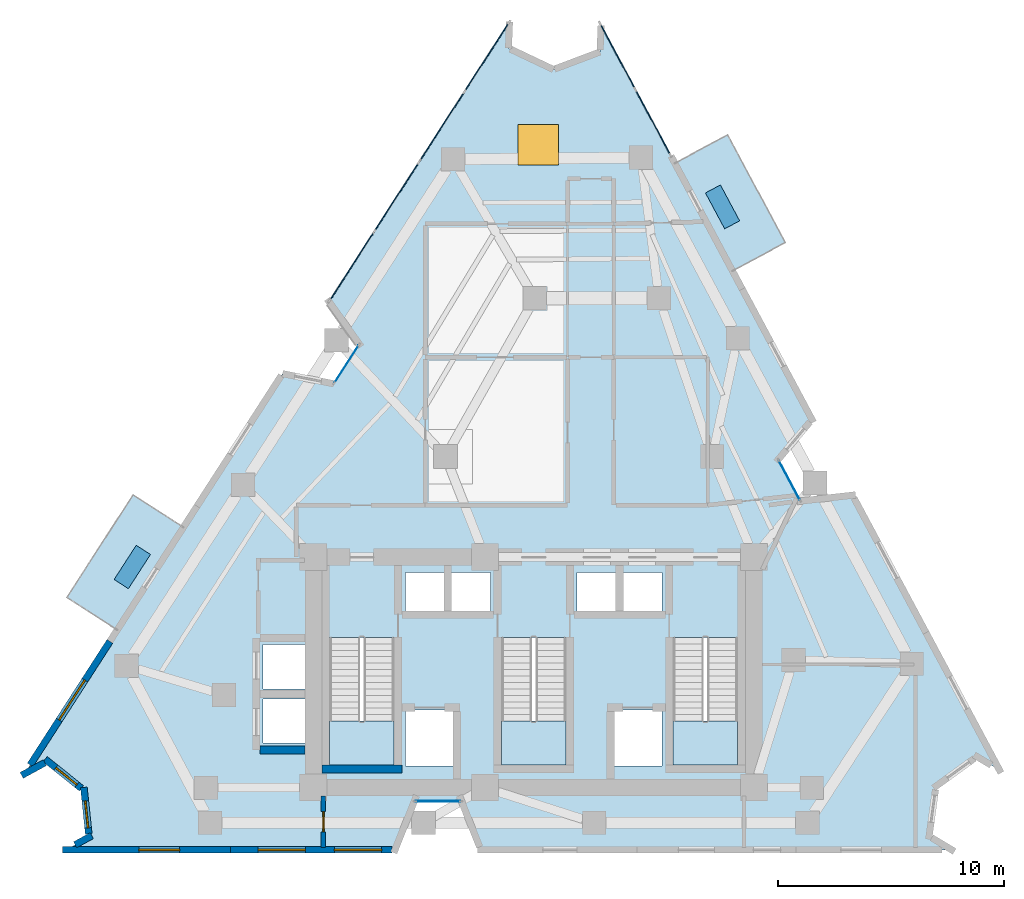
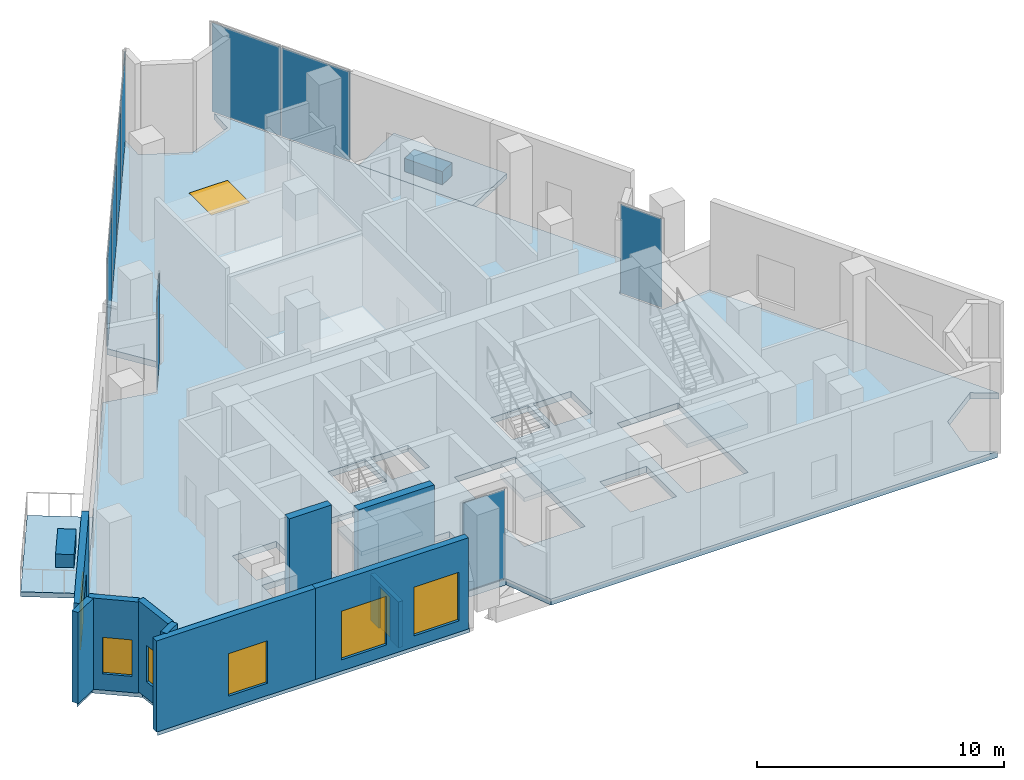
# One storey, part 5 of 10: 11 plates, 10 walls, 7 windows, 6 slabs, 1 door, 8 openings, 9 elements without a shape of their own.
"""IFC4 building model written with IfcOpenShell, lengths in metres."""

import ifcopenshell
import ifcopenshell.guid

model = None  # the IFC model being written
_history = None  # IfcOwnerHistory: only IFC2X3 demands one
_inside = {}  # id of a spatial element -> (the spatial element, [elements in it])
_under = {}  # id of a project, library or spatial element -> (it, [spatial elements below it])
_declared = {}  # id of a project -> (the project, [libraries it declares])
_typed = {}  # id of a type object -> (the type object, [elements of that type])
_made_of = {}  # id of a material, layer set ... -> (it, [elements and type objects made of it])


def new_model(schema):
    """Start an empty IFC model of exactly this schema.

    Asked for "IFC4X3", IfcOpenShell would pick the latest addendum, in which some entities
    have other attributes; the version numbers below select the first issue.
    IFC2X3 requires an IfcOwnerHistory on every rooted entity: one is made here for all.
    """
    global model, _history
    if schema == "IFC4X3":
        model = ifcopenshell.file(schema_version=(4, 3, 0, 0))
    else:
        model = ifcopenshell.file(schema=schema)
    _inside.clear()
    _under.clear()
    _declared.clear()
    _typed.clear()
    _made_of.clear()
    _history = None
    if model.schema == "IFC2X3":
        org = make("IfcOrganization", Name="unknown")
        user = make(
            "IfcPersonAndOrganization",
            ThePerson=make("IfcPerson", FamilyName="unknown"),
            TheOrganization=org,
        )
        app = make(
            "IfcApplication",
            ApplicationDeveloper=org,
            Version="unknown",
            ApplicationFullName="unknown",
            ApplicationIdentifier="unknown",
        )
        _history = make(
            "IfcOwnerHistory",
            OwningUser=user,
            OwningApplication=app,
            ChangeAction="ADDED",
            CreationDate=0,
        )
    return model


def make(cls, **values):
    """One entity of the class cls with the attributes given. An attribute that is None is left unset."""
    return model.create_entity(
        cls, **{name: value for name, value in values.items() if value is not None}
    )


def rooted(cls, **values):
    """An entity with a GlobalId (a new one), such as an element, a storey or a relation."""
    return make(cls, GlobalId=ifcopenshell.guid.new(), OwnerHistory=_history, **values)


def si_unit(unit_type, name, prefix=None):
    """IfcSIUnit, for example si_unit("LENGTHUNIT", "METRE", prefix="MILLI")."""
    return make("IfcSIUnit", UnitType=unit_type, Prefix=prefix, Name=name)


def assignment(units):
    """IfcUnitAssignment: the units of a project."""
    return None if units is None else make("IfcUnitAssignment", Units=units)


def point(xyz):
    """IfcCartesianPoint."""
    return None if xyz is None else make("IfcCartesianPoint", Coordinates=xyz)


def direction(xyz):
    """IfcDirection."""
    return None if xyz is None else make("IfcDirection", DirectionRatios=xyz)


def frame(location, z_axis=None, x_axis=None):
    """IfcAxis2Placement3D, a coordinate frame: its origin and axes. An axis left out is left unset."""
    return make(
        "IfcAxis2Placement3D",
        Location=point(location),
        Axis=direction(z_axis),
        RefDirection=direction(x_axis),
    )


def frame_2d(location, x_axis=None):
    """IfcAxis2Placement2D, a coordinate frame in the plane: its origin and x axis."""
    return make(
        "IfcAxis2Placement2D", Location=point(location), RefDirection=direction(x_axis)
    )


def origin():
    """The frame at (0, 0, 0) with its axes left unset."""
    return frame((0.0, 0.0, 0.0))


def origin_2d():
    """The frame at (0, 0) in the plane with its x axis left unset."""
    return frame_2d((0.0, 0.0))


def place(relative_to, where):
    """IfcLocalPlacement: puts the frame where relative to a parent placement (None: the world)."""
    return make(
        "IfcLocalPlacement", PlacementRelTo=relative_to, RelativePlacement=where
    )


def context(
    kind, dimensions, precision=None, world=None, true_north=None, identifier=None
):
    """IfcGeometricRepresentationContext, for example the 3D "Model" context."""
    return make(
        "IfcGeometricRepresentationContext",
        ContextIdentifier=identifier,
        ContextType=kind,
        CoordinateSpaceDimension=dimensions,
        Precision=precision,
        WorldCoordinateSystem=world,
        TrueNorth=true_north,
    )


def subcontext(parent, identifier, kind, view, scale=None):
    """IfcGeometricRepresentationSubContext, for example "Body" below "Model"."""
    return make(
        "IfcGeometricRepresentationSubContext",
        ContextIdentifier=identifier,
        ContextType=kind,
        ParentContext=parent,
        TargetScale=scale,
        TargetView=view,
    )


def project(units=None, contexts=None):
    """IfcProject with its units and contexts."""
    return rooted(
        "IfcProject",
        Name="project",
        RepresentationContexts=contexts,
        UnitsInContext=assignment(units),
    )


def spatial(cls, under=None, at=None, **own):
    """A site, building, storey or space (cls), placed at a placement, below another one or the project."""
    s = rooted(cls, ObjectPlacement=at, **own)
    if under is not None:
        _under.setdefault(under.id(), (under, []))[1].append(s)
    return s


def polyline(points):
    """IfcPolyline through the points."""
    return make("IfcPolyline", Points=[point(p) for p in points])


def profile(cls, at=None, kind="AREA", **sizes):
    """A parametric profile (cls). Its sizes go by their IFC names, for example OverallWidth=200.0."""
    return make(cls, ProfileType=kind, Position=at, **sizes)


def rectangle(**sizes):
    """IfcRectangleProfileDef."""
    return profile("IfcRectangleProfileDef", **sizes)


def outline(outer, holes=None, kind="AREA"):
    """IfcArbitraryClosedProfileDef: a profile drawn as a closed curve; with holes, ...WithVoids."""
    if holes is None:
        return make("IfcArbitraryClosedProfileDef", ProfileType=kind, OuterCurve=outer)
    return make(
        "IfcArbitraryProfileDefWithVoids",
        ProfileType=kind,
        OuterCurve=outer,
        InnerCurves=holes,
    )


def extrude(swept, where, along, depth):
    """IfcExtrudedAreaSolid: the profile swept, set in the frame where, extruded along a direction by depth."""
    return make(
        "IfcExtrudedAreaSolid",
        SweptArea=swept,
        Position=where,
        ExtrudedDirection=direction(along),
        Depth=depth,
    )


def shape(context_of_items, identifier, shape_type, items):
    """IfcShapeRepresentation: the items that make up one representation, for example the "Body"."""
    return make(
        "IfcShapeRepresentation",
        ContextOfItems=context_of_items,
        RepresentationIdentifier=identifier,
        RepresentationType=shape_type,
        Items=items,
    )


def material(Name=None, Category=None):
    """IfcMaterial."""
    return make("IfcMaterial", Name=Name, Category=Category)


def layer(
    of_material, thickness, ventilated=None, Name=None, Category=None, Priority=None
):
    """IfcMaterialLayer: one layer of a wall or slab, of a material (None: an air gap)."""
    return make(
        "IfcMaterialLayer",
        Material=of_material,
        LayerThickness=thickness,
        IsVentilated=ventilated,
        Name=Name,
        Category=Category,
        Priority=Priority,
    )


def layer_set(layers, Name=None):
    """IfcMaterialLayerSet."""
    return make("IfcMaterialLayerSet", MaterialLayers=layers, LayerSetName=Name)


def made_of(thing, what):
    """Note that an element or type object is made of a material, layer set ...; save() writes the relation."""
    if what is not None:
        _made_of.setdefault(what.id(), (what, []))[1].append(thing)
    return thing


def type_object(cls, material=None, **own):
    """A type object (cls), such as IfcWallType, which elements share."""
    return made_of(rooted(cls, **own), material)


def element(
    cls,
    number,
    at=None,
    inside=None,
    cuts=None,
    type_object=None,
    material=None,
    context=None,
    identifier="Body",
    shape_type=None,
    held_by="IfcProductDefinitionShape",
    body=None,
    shapes=None,
    **own,
):
    """One element of the class cls, such as IfcWall. Its Tag is "e" and its number.

    at: its placement. inside: the storey or other place that contains it. cuts: it is an
    opening in that element (IfcRelVoidsElement). A single representation is given by context,
    identifier, shape_type and body (its items); several are given by shapes. held_by: the class
    of the entity that holds the representations. save() writes the other relations.
    """
    e = rooted(cls, Tag="e%d" % number, ObjectPlacement=at, **own)
    if body is not None:
        shapes = [shape(context, identifier, shape_type, body)]
    if shapes is not None:
        e.Representation = make(held_by, Representations=shapes)
    if inside is not None:
        _inside.setdefault(inside.id(), (inside, []))[1].append(e)
    if cuts is not None:
        rooted(
            "IfcRelVoidsElement", RelatingBuildingElement=cuts, RelatedOpeningElement=e
        )
    if type_object is not None:
        _typed.setdefault(type_object.id(), (type_object, []))[1].append(e)
    return made_of(e, material)


def fill(opening, filler):
    """IfcRelFillsElement: the door or window that sits in an opening."""
    return rooted(
        "IfcRelFillsElement",
        RelatingOpeningElement=opening,
        RelatedBuildingElement=filler,
    )


def aggregate(whole, parts):
    """IfcRelAggregates: a whole, such as a stair, and the parts it consists of."""
    return rooted("IfcRelAggregates", RelatingObject=whole, RelatedObjects=parts)


def save(model, path):
    """Write the relations noted so far, then the file.

    IfcRelAggregates (storeys below a building ...), IfcRelContainedInSpatialStructure (elements
    in a storey), IfcRelDefinesByType, IfcRelAssociatesMaterial and IfcRelDeclares: one each for
    every whole, place, type object, material and project.
    """
    for whole, parts in _under.values():
        aggregate(whole, parts)
    for where, things in _inside.values():
        rooted(
            "IfcRelContainedInSpatialStructure",
            RelatedElements=things,
            RelatingStructure=where,
        )
    for kind, things in _typed.values():
        rooted("IfcRelDefinesByType", RelatedObjects=things, RelatingType=kind)
    for what, things in _made_of.values():
        rooted("IfcRelAssociatesMaterial", RelatedObjects=things, RelatingMaterial=what)
    for by, libraries in _declared.values():
        rooted("IfcRelDeclares", RelatingContext=by, RelatedDefinitions=libraries)
    model.write(path)


model = new_model("IFC4")

# Units and contexts
model_context = context("Model", 3, precision=1e-05, world=origin(), true_north=direction((0.0, 1.0)))
body_context = subcontext(model_context, "Body", "Model", "MODEL_VIEW")
ifc_project = project(units=[si_unit("LENGTHUNIT", "METRE"), si_unit("AREAUNIT", "SQUARE_METRE"), si_unit("VOLUMEUNIT", "CUBIC_METRE"), si_unit("PLANEANGLEUNIT", "RADIAN"), si_unit("MASSUNIT", "GRAM", prefix="KILO")], contexts=[model_context])

# Site, building, storey
site_placement = place(None, origin())
site = spatial("IfcSite", under=ifc_project, at=site_placement, CompositionType="ELEMENT")
building_placement = place(site_placement, origin())
building = spatial("IfcBuilding", under=site, at=building_placement, Name="Almagre Mirador Tower", CompositionType="ELEMENT")
storey_placement = place(building_placement, frame((0.0, 0.0, 196.800048828125)))
storey = spatial("IfcBuildingStorey", under=building, at=storey_placement, Name="L51", CompositionType="ELEMENT", Elevation=196.800048828125)

# Curtain wall, plate
ifc_material_1 = material(Name="Black anodized aluminium", Category="aluminium")
ifc_layer_1 = layer(ifc_material_1, 0.169921875)
ifc_layer_set_1 = layer_set([ifc_layer_1], Name="Black anodized aluminium")
curtain_wall_type_1 = type_object("IfcCurtainWallType", Name="CW-CRS-SYS", PredefinedType="NOTDEFINED", material=ifc_layer_set_1)
curtain_wall_1_placement = place(storey_placement, origin())
curtain_wall_1 = element("IfcCurtainWall", 1, at=curtain_wall_1_placement, inside=storey, type_object=curtain_wall_type_1, Name="L51 vertical crease curtain wall 01", PredefinedType="NOTDEFINED")
ifc_material_2 = material(Name="Dark solar-control laminated hurricane glass", Category="glass")
ifc_layer_2 = layer(ifc_material_2, 0.028076171875)
ifc_layer_set_2 = layer_set([ifc_layer_2], Name="Dark solar-control laminated hurricane glass")
plate_type_1 = type_object("IfcPlateType", Name="PLT-GLZ-28", PredefinedType="CURTAIN_PANEL", material=ifc_layer_set_2)
plate_1_placement = place(storey_placement, frame((29.0234375, 23.297119140625, 0.06005859375), z_axis=(0.0, 0.0, 1.0), x_axis=(0.542159567478, 0.840275552061, 0.0)))
plate_1 = element("IfcPlate", 2, at=plate_1_placement, type_object=plate_type_1, Name="CW-4 panel 1.1", PredefinedType="CURTAIN_PANEL", context=body_context, shape_type="SweptSolid", body=[
    extrude(rectangle(XDim=1.9697265625, YDim=0.028076171875, at=origin_2d()), origin(), (0.0, 0.0, 1.0), 4.3798828125),
])
aggregate(curtain_wall_1, [plate_1])

curtain_wall_2_placement = place(storey_placement, origin())
curtain_wall_2 = element("IfcCurtainWall", 3, at=curtain_wall_2_placement, inside=storey, type_object=curtain_wall_type_1, Name="L51 vertical crease curtain wall 05", PredefinedType="NOTDEFINED")
plate_2_placement = place(storey_placement, frame((48.614013671875, 18.150390625, 0.06005859375), z_axis=(0.0, 0.0, 1.0), x_axis=(0.47173010875, -0.881742992316, 0.0)))
plate_2 = element("IfcPlate", 4, at=plate_2_placement, type_object=plate_type_1, Name="CW-4 panel 1.1", PredefinedType="CURTAIN_PANEL", context=body_context, shape_type="SweptSolid", body=[
    extrude(rectangle(XDim=1.97021484375, YDim=0.028076171875, at=origin_2d()), origin(), (0.0, 0.0, 1.0), 4.3798828125),
])
aggregate(curtain_wall_2, [plate_2])

curtain_wall_3_placement = place(storey_placement, origin())
curtain_wall_3 = element("IfcCurtainWall", 5, at=curtain_wall_3_placement, inside=storey, type_object=curtain_wall_type_1, Name="L51 vertical crease curtain wall 06", PredefinedType="NOTDEFINED")
plate_3_placement = place(storey_placement, frame((33.06396484375, 3.949951171875, 0.06005859375), z_axis=(0.0, 0.0, 1.0), x_axis=(-1.0, 0.0, 0.0)))
plate_3 = element("IfcPlate", 6, at=plate_3_placement, type_object=plate_type_1, Name="CW-4 panel 1.1", PredefinedType="CURTAIN_PANEL", context=body_context, shape_type="SweptSolid", body=[
    extrude(rectangle(XDim=1.969970703125, YDim=0.028076171875, at=origin_2d()), origin(), (0.0, 0.0, 1.0), 4.3798828125),
])
aggregate(curtain_wall_3, [plate_3])

# Curtain wall, plates
ifc_material_3 = material(Name="Black anodized aluminium", Category="aluminium")
ifc_layer_3 = layer(ifc_material_3, 0.22998046875)
ifc_layer_set_3 = layer_set([ifc_layer_3], Name="Black anodized aluminium")
curtain_wall_type_2 = type_object("IfcCurtainWallType", Name="CW-SKY-SYS", PredefinedType="NOTDEFINED", material=ifc_layer_set_3)
curtain_wall_4_placement = place(storey_placement, origin())
curtain_wall_4 = element("IfcCurtainWall", 7, at=curtain_wall_4_placement, inside=storey, type_object=curtain_wall_type_2, Name="L51 curtain wall run 02", PredefinedType="NOTDEFINED")
ifc_material_4 = material(Name="Dark solar-control laminated hurricane glass", Category="glass")
ifc_layer_4 = layer(ifc_material_4, 0.0400390625)
ifc_layer_set_4 = layer_set([ifc_layer_4], Name="Dark solar-control laminated hurricane glass")
plate_type_2 = type_object("IfcPlateType", Name="PLT-GLZ-40", PredefinedType="CURTAIN_PANEL", material=ifc_layer_set_4)
plate_4_placement = place(storey_placement, frame((29.254638671875, 27.62109375, 0.06494140625), z_axis=(0.0, 0.0, 1.0), x_axis=(0.542026366786, 0.840361480381, 0.0)))
plate_4 = element("IfcPlate", 8, at=plate_4_placement, type_object=plate_type_2, Name="CW-5 panel 1.1", PredefinedType="CURTAIN_PANEL", context=body_context, shape_type="SweptSolid", body=[
    extrude(rectangle(XDim=3.577880859375, YDim=0.0400390625, at=origin_2d()), origin(), (0.0, 0.0, 1.0), 4.3701171875),
])
plate_5_placement = place(storey_placement, frame((31.23193359375, 30.686767578125, 0.06494140625), z_axis=(0.0, 0.0, 1.0), x_axis=(0.542026366786, 0.840361480381, 0.0)))
plate_5 = element("IfcPlate", 9, at=plate_5_placement, type_object=plate_type_2, Name="CW-5 panel 2.1", PredefinedType="CURTAIN_PANEL", context=body_context, shape_type="SweptSolid", body=[
    extrude(rectangle(XDim=3.577880859375, YDim=0.0400390625, at=origin_2d()), origin(), (0.0, 0.0, 1.0), 4.3701171875),
])
aggregate(curtain_wall_4, [plate_4, plate_5])

curtain_wall_5_placement = place(storey_placement, origin())
curtain_wall_5 = element("IfcCurtainWall", 10, at=curtain_wall_5_placement, inside=storey, type_object=curtain_wall_type_2, Name="L51 curtain wall run 03", PredefinedType="NOTDEFINED")
plate_6_placement = place(storey_placement, frame((33.2470703125, 33.811279296875, 0.06494140625), z_axis=(0.0, 0.0, 1.0), x_axis=(0.542026366786, 0.840361480381, 0.0)))
plate_6 = element("IfcPlate", 11, at=plate_6_placement, type_object=plate_type_2, Name="CW-5 panel 1.1", PredefinedType="CURTAIN_PANEL", context=body_context, shape_type="SweptSolid", body=[
    extrude(rectangle(XDim=3.577880859375, YDim=0.0400390625, at=origin_2d()), origin(), (0.0, 0.0, 1.0), 4.3701171875),
])
plate_7_placement = place(storey_placement, frame((35.224365234375, 36.876708984375, 0.06494140625), z_axis=(0.0, 0.0, 1.0), x_axis=(0.542026366786, 0.840361480381, 0.0)))
plate_7 = element("IfcPlate", 12, at=plate_7_placement, type_object=plate_type_2, Name="CW-5 panel 2.1", PredefinedType="CURTAIN_PANEL", context=body_context, shape_type="SweptSolid", body=[
    extrude(rectangle(XDim=3.577880859375, YDim=0.0400390625, at=origin_2d()), origin(), (0.0, 0.0, 1.0), 4.3701171875),
])
aggregate(curtain_wall_5, [plate_6, plate_7])

curtain_wall_6_placement = place(storey_placement, origin())
curtain_wall_6 = element("IfcCurtainWall", 13, at=curtain_wall_6_placement, inside=storey, type_object=curtain_wall_type_2, Name="L51 curtain wall run 04", PredefinedType="NOTDEFINED")
plate_8_placement = place(storey_placement, frame((41.017578125, 36.90771484375, 0.06494140625), z_axis=(0.0, 0.0, 1.0), x_axis=(0.471741797788, -0.881736738613, 0.0)))
plate_8 = element("IfcPlate", 14, at=plate_8_placement, type_object=plate_type_2, Name="CW-5 panel 1.1", PredefinedType="CURTAIN_PANEL", context=body_context, shape_type="SweptSolid", body=[
    extrude(rectangle(XDim=3.23681640625, YDim=0.0400390625, at=origin_2d()), origin(), (0.0, 0.0, 1.0), 4.3701171875),
])
plate_9_placement = place(storey_placement, frame((42.577392578125, 33.991943359375, 0.06494140625), z_axis=(0.0, 0.0, 1.0), x_axis=(0.471741797788, -0.881736738613, 0.0)))
plate_9 = element("IfcPlate", 15, at=plate_9_placement, type_object=plate_type_2, Name="CW-5 panel 2.1", PredefinedType="CURTAIN_PANEL", context=body_context, shape_type="SweptSolid", body=[
    extrude(rectangle(XDim=3.23681640625, YDim=0.0400390625, at=origin_2d()), origin(), (0.0, 0.0, 1.0), 4.3701171875),
])
aggregate(curtain_wall_6, [plate_8, plate_9])

# Plates
ifc_material_5 = material(Name="Precast concrete C50/60", Category="concrete")
ifc_layer_5 = layer(ifc_material_5, 0.64990234375)
ifc_layer_set_5 = layer_set([ifc_layer_5], Name="Precast concrete C50/60")
plate_type_3 = type_object("IfcPlateType", Name="PLT-PLANTER-1800", PredefinedType="USERDEFINED", material=ifc_layer_set_5)
for number, where, z_axis, x_axis, name in (
    (16, (45.657958984375, 30.248046875, 0.0), (0.0, 0.0, 1.0), (-0.471735335523, 0.881740195987, 0.0), "L51 east balcony structural tree planter 1"),
    (17, (19.5419921875, 14.31494140625, 0.0), (0.0, 0.0, 1.0), (-0.542030924747, -0.840358540516, 0.0), "L51 west balcony structural tree planter 2"),
):
    element("IfcPlate", number, at=place(storey_placement, frame(where, z_axis=z_axis, x_axis=x_axis)), inside=storey, type_object=plate_type_3, Name=name, ObjectType="PLANTER", PredefinedType="USERDEFINED", context=body_context, shape_type="SweptSolid", body=[
        extrude(rectangle(XDim=1.800048828125, YDim=0.75, at=origin_2d()), origin(), (0.0, 0.0, 1.0), 0.64990234375),
    ])

# Slabs
ifc_material_6 = material(Name="Concrete C45/55", Category="concrete")
ifc_layer_6 = layer(ifc_material_6, 0.239990234375)
ifc_layer_set_6 = layer_set([ifc_layer_6], Name="Concrete C45/55")
slab_type_1 = type_object("IfcSlabType", Name="SLB-BAL-240", PredefinedType="USERDEFINED", material=ifc_layer_set_6)
slab_1_placement = place(storey_placement, frame((0.0, 0.0, -0.239990234375)))
element("IfcSlab", 18, at=slab_1_placement, inside=storey, type_object=slab_type_1, Name="L51 east planted tree balcony 1", ObjectType="BALCONY", PredefinedType="USERDEFINED", context=body_context, shape_type="SweptSolid", body=[
    extrude(outline(polyline([(46.075927734375, 27.409912109375), (43.528076171875, 32.172119140625), (45.883056640625, 33.430908203125), (48.429931640625, 28.6689453125), (46.075927734375, 27.409912109375)])), origin(), (0.0, 0.0, 1.0), 0.239990234375),
])
slab_2_placement = place(storey_placement, frame((0.0, 0.0, -0.239990234375)))
element("IfcSlab", 19, at=slab_2_placement, inside=storey, type_object=slab_type_1, Name="L51 west planted tree balcony 2", ObjectType="BALCONY", PredefinedType="USERDEFINED", context=body_context, shape_type="SweptSolid", body=[
    extrude(outline(polyline([(21.820068359375, 16.05810546875), (18.89404296875, 11.52001953125), (16.64990234375, 12.967041015625), (19.576904296875, 17.5048828125), (21.820068359375, 16.05810546875)])), origin(), (0.0, 0.0, 1.0), 0.239990234375),
])

# Slab, opening, window
ifc_material_7 = material(Name="Concrete C45/55", Category="concrete")
ifc_layer_7 = layer(ifc_material_7, 0.300048828125)
ifc_layer_set_7 = layer_set([ifc_layer_7], Name="Concrete C45/55")
slab_type_2 = type_object("IfcSlabType", Name="SLB-FLR-300", PredefinedType="FLOOR", material=ifc_layer_set_7)
slab_3_placement = place(storey_placement, frame((0.0, 0.0, -0.300048828125)))
slab_3 = element("IfcSlab", 20, at=slab_3_placement, inside=storey, type_object=slab_type_2, Name="L51 structural floor slab", PredefinedType="FLOOR", context=body_context, shape_type="SweptSolid", body=[
    extrude(outline(polyline([(14.76806640625, 5.160888671875), (15.794921875, 5.720947265625), (17.412109375, 4.422119140625), (17.626953125, 2.360107421875), (16.60009765625, 1.800048828125), (31.1640625, 1.800048828125), (32.01904296875, 3.949951171875), (34.10888671875, 3.949951171875), (34.964111328125, 1.800048828125), (55.800048828125, 1.800048828125), (54.7958984375, 2.40087890625), (55.09912109375, 4.615966796875), (56.908935546875, 5.927978515625), (57.9130859375, 5.326904296875), (51.406005859375, 17.489013671875), (49.10693359375, 17.22900390625), (48.12109375, 19.072021484375), (49.614013671875, 20.840087890625), (40.287109375, 38.27294921875), (40.239013671875, 37.10400390625), (38.176025390625, 36.324951171875), (36.18408203125, 37.27001953125), (36.23193359375, 38.43896484375), (28.2470703125, 26.05908203125), (29.590087890625, 24.175048828125), (28.45703125, 22.4189453125), (26.18701171875, 22.864990234375), (14.76806640625, 5.160888671875)]), holes=[polyline([(43.47509765625, 5.550048828125), (43.47509765625, 11.196044921875), (46.324951171875, 11.196044921875), (46.324951171875, 5.550048828125), (43.47509765625, 5.550048828125)]), polyline([(40.820068359375, 5.52001953125), (40.820068359375, 7.97998046875), (42.97998046875, 7.97998046875), (42.97998046875, 5.52001953125), (40.820068359375, 5.52001953125)]), polyline([(41.219970703125, 12.320068359375), (41.219970703125, 14.080078125), (42.97998046875, 14.080078125), (42.97998046875, 12.320068359375), (41.219970703125, 12.320068359375)]), polyline([(39.219970703125, 12.320068359375), (39.219970703125, 14.080078125), (40.97998046875, 14.080078125), (40.97998046875, 12.320068359375), (39.219970703125, 12.320068359375)]), polyline([(35.875, 11.196044921875), (38.72509765625, 11.196044921875), (38.72509765625, 5.550048828125), (35.875, 5.550048828125), (35.875, 11.196044921875)]), polyline([(35.3798828125, 12.320068359375), (33.6201171875, 12.320068359375), (33.6201171875, 14.080078125), (35.3798828125, 14.080078125), (35.3798828125, 12.320068359375)]), polyline([(33.780029296875, 5.52001953125), (31.6201171875, 5.52001953125), (31.6201171875, 7.97998046875), (33.780029296875, 7.97998046875), (33.780029296875, 5.52001953125)]), polyline([(31.6201171875, 12.320068359375), (31.6201171875, 14.080078125), (33.3798828125, 14.080078125), (33.3798828125, 12.320068359375), (31.6201171875, 12.320068359375)]), polyline([(28.27490234375, 5.550048828125), (28.27490234375, 11.196044921875), (31.125, 11.196044921875), (31.125, 5.550048828125), (28.27490234375, 5.550048828125)]), polyline([(25.320068359375, 8.919921875), (25.320068359375, 10.8798828125), (27.3798828125, 10.8798828125), (27.3798828125, 8.919921875), (25.320068359375, 8.919921875)]), polyline([(27.3798828125, 6.52001953125), (25.320068359375, 6.52001953125), (25.320068359375, 8.47998046875), (27.3798828125, 8.47998046875), (27.3798828125, 6.52001953125)])]), origin(), (0.0, 0.0, 1.0), 0.300048828125),
])
opening_1_placement = place(slab_3_placement, frame((37.5, 33.0, 0.0)))
opening_1 = element("IfcOpeningElement", 21, at=opening_1_placement, cuts=slab_3, Name="Opening SK-01", PredefinedType="OPENING", context=body_context, shape_type="SweptSolid", body=[
    extrude(rectangle(XDim=1.800048828125, YDim=1.800048828125, at=origin_2d()), origin(), (0.0, 0.0, 1.0), 0.300048828125),
])
ifc_material_8 = material(Name="Dark solar-control laminated hurricane glass", Category="glass")
window_type_1 = type_object("IfcWindowType", Name="SKY-1800X1800", PartitioningType="SINGLE_PANEL", PredefinedType="SKYLIGHT", material=ifc_material_8)
window_1_placement = place(opening_1_placement, frame((0.0, 0.0, 0.25)))
window_1 = element("IfcWindow", 22, at=window_1_placement, inside=storey, type_object=window_type_1, Name="L51 atrium lightwell skylight 5", OverallHeight=1.800048828125, OverallWidth=1.800048828125, PartitioningType="SINGLE_PANEL", PredefinedType="SKYLIGHT", context=body_context, shape_type="SweptSolid", body=[
    extrude(rectangle(XDim=1.800048828125, YDim=1.800048828125, at=origin_2d()), origin(), (0.0, 0.0, 1.0), 0.050048828125),
])
fill(opening_1, window_1)

# Stair, slab
ifc_material_9 = material(Name="Concrete C45/55", Category="concrete")
stair_type = type_object("IfcStairType", Name="STR-DL-4800", PredefinedType="HALF_TURN_STAIR", material=ifc_material_9)
stair_1_placement = place(storey_placement, origin())
stair_1 = element("IfcStair", 23, at=stair_1_placement, inside=storey, type_object=stair_type, Name="L51 Protected exit stair ST-1", PredefinedType="HALF_TURN_STAIR")
ifc_material_10 = material(Name="Concrete C45/55", Category="concrete")
ifc_layer_8 = layer(ifc_material_10, 0.199951171875)
ifc_layer_set_8 = layer_set([ifc_layer_8], Name="Concrete C45/55")
slab_type_3 = type_object("IfcSlabType", Name="SLB-LND-200", PredefinedType="LANDING", material=ifc_layer_set_8)
slab_4_placement = place(storey_placement, frame((0.0, 0.0, 2.199951171875)))
slab_4 = element("IfcSlab", 24, at=slab_4_placement, type_object=slab_type_3, Name="ST-1 landing 1", PredefinedType="LANDING", context=body_context, shape_type="SweptSolid", body=[
    extrude(outline(polyline([(28.27490234375, 7.4951171875), (28.27490234375, 5.550048828125), (31.125, 5.550048828125), (31.125, 7.4951171875), (28.27490234375, 7.4951171875)])), origin(), (0.0, 0.0, 1.0), 0.199951171875),
])
aggregate(stair_1, [slab_4])

stair_2_placement = place(storey_placement, origin())
stair_2 = element("IfcStair", 25, at=stair_2_placement, inside=storey, type_object=stair_type, Name="L51 Protected exit stair ST-2", PredefinedType="HALF_TURN_STAIR")
slab_5_placement = place(storey_placement, frame((0.0, 0.0, 2.199951171875)))
slab_5 = element("IfcSlab", 26, at=slab_5_placement, type_object=slab_type_3, Name="ST-2 landing 1", PredefinedType="LANDING", context=body_context, shape_type="SweptSolid", body=[
    extrude(outline(polyline([(35.875, 7.4951171875), (35.875, 5.550048828125), (38.72509765625, 5.550048828125), (38.72509765625, 7.4951171875), (35.875, 7.4951171875)])), origin(), (0.0, 0.0, 1.0), 0.199951171875),
])
aggregate(stair_2, [slab_5])

stair_3_placement = place(storey_placement, origin())
stair_3 = element("IfcStair", 27, at=stair_3_placement, inside=storey, type_object=stair_type, Name="L51 Protected exit stair ST-3", PredefinedType="HALF_TURN_STAIR")
slab_6_placement = place(storey_placement, frame((0.0, 0.0, 2.199951171875)))
slab_6 = element("IfcSlab", 28, at=slab_6_placement, type_object=slab_type_3, Name="ST-3 landing 1", PredefinedType="LANDING", context=body_context, shape_type="SweptSolid", body=[
    extrude(outline(polyline([(43.47509765625, 7.4951171875), (43.47509765625, 5.550048828125), (46.324951171875, 5.550048828125), (46.324951171875, 7.4951171875), (43.47509765625, 7.4951171875)])), origin(), (0.0, 0.0, 1.0), 0.199951171875),
])
aggregate(stair_3, [slab_6])

# Wall, openings, windows
ifc_material_11 = material(Name="Precast concrete C50/60", Category="concrete")
ifc_layer_9 = layer(ifc_material_11, 0.300048828125)
ifc_layer_set_9 = layer_set([ifc_layer_9], Name="Precast concrete C50/60")
wall_type_1 = type_object("IfcWallType", Name="WAL-EXT-300", PredefinedType="SOLIDWALL", material=ifc_layer_set_9)
wall_1_placement = place(storey_placement, frame((31.02392578125, 1.800048828125, 0.0), z_axis=(0.0, 0.0, 1.0), x_axis=(-1.0, 0.0, 0.0)))
wall_1 = element("IfcWall", 29, at=wall_1_placement, inside=storey, type_object=wall_type_1, Name="L51 expressed almagre precast frame wall 22", PredefinedType="SOLIDWALL", context=body_context, shape_type="SweptSolid", body=[
    extrude(rectangle(XDim=7.141845703125, YDim=0.300048828125, at=frame_2d((3.57080078125, 0.0))), origin(), (0.0, 0.0, 1.0), 4.5),
])
opening_2_placement = place(wall_1_placement, frame((0.445068359375, 0.0, 0.550048828125)))
opening_2 = element("IfcOpeningElement", 30, at=opening_2_placement, cuts=wall_1, Name="Opening WN-05", PredefinedType="OPENING", context=body_context, shape_type="SweptSolid", body=[
    extrude(rectangle(XDim=2.10009765625, YDim=2.39990234375, at=frame_2d((1.050048828125, 1.199951171875))), frame((0.0, 0.159902, 0.0), z_axis=(0.0, -1.0, 0.0), x_axis=(1.0, 0.0, 0.0)), (0.0, 0.0, 1.0), 0.320049),
])
opening_3_placement = place(wall_1_placement, frame((3.820068359375, 0.0, 0.550048828125)))
opening_3 = element("IfcOpeningElement", 31, at=opening_3_placement, cuts=wall_1, Name="Opening WN-05", PredefinedType="OPENING", context=body_context, shape_type="SweptSolid", body=[
    extrude(rectangle(XDim=2.10009765625, YDim=2.39990234375, at=frame_2d((1.050048828125, 1.199951171875))), frame((0.0, 0.159902, 0.0), z_axis=(0.0, -1.0, 0.0), x_axis=(1.0, 0.0, 0.0)), (0.0, 0.0, 1.0), 0.320049),
])
ifc_material_12 = material(Name="Dark solar-control laminated hurricane glass", Category="glass")
window_type_2 = type_object("IfcWindowType", Name="WIN-2100X2400", PartitioningType="DOUBLE_PANEL_VERTICAL", PredefinedType="WINDOW", material=ifc_material_12)
window_2_placement = place(opening_2_placement, origin())
window_2 = element("IfcWindow", 32, at=window_2_placement, inside=storey, type_object=window_type_2, Name="L51 recessed hurricane window L51-SCAF", OverallHeight=2.39990234375, OverallWidth=2.10009765625, PartitioningType="SINGLE_PANEL", PredefinedType="WINDOW", context=body_context, shape_type="SweptSolid", body=[
    extrude(rectangle(XDim=2.10009765625, YDim=2.39990234375, at=frame_2d((1.050048828125, 1.199951171875))), frame((0.0, 0.030029296875, 0.0), z_axis=(0.0, -1.0, 0.0), x_axis=(1.0, 0.0, 0.0)), (0.0, 0.0, 1.0), 0.06005859375),
])
fill(opening_2, window_2)
window_3_placement = place(opening_3_placement, origin())
window_3 = element("IfcWindow", 33, at=window_3_placement, inside=storey, type_object=window_type_2, Name="L51 recessed hurricane window L51-SLOB-2", OverallHeight=2.39990234375, OverallWidth=2.10009765625, PartitioningType="SINGLE_PANEL", PredefinedType="WINDOW", context=body_context, shape_type="SweptSolid", body=[
    extrude(rectangle(XDim=2.10009765625, YDim=2.39990234375, at=frame_2d((1.050048828125, 1.199951171875))), frame((0.0, 0.030029296875, 0.0), z_axis=(0.0, -1.0, 0.0), x_axis=(1.0, 0.0, 0.0)), (0.0, 0.0, 1.0), 0.06005859375),
])
fill(opening_3, window_3)

# Wall, opening, window
wall_2_placement = place(storey_placement, frame((23.882080078125, 1.800048828125, 0.0), z_axis=(0.0, 0.0, 1.0), x_axis=(-1.0, 0.0, 0.0)))
wall_2 = element("IfcWall", 34, at=wall_2_placement, inside=storey, type_object=wall_type_1, Name="L51 expressed almagre precast frame wall 23", PredefinedType="SOLIDWALL", context=body_context, shape_type="SweptSolid", body=[
    extrude(rectangle(XDim=7.422119140625, YDim=0.300048828125, at=frame_2d((3.7109375, 0.0))), origin(), (0.0, 0.0, 1.0), 4.5),
])
opening_4_placement = place(wall_2_placement, frame((2.25, 0.0, 0.60009765625)))
opening_4 = element("IfcOpeningElement", 35, at=opening_4_placement, cuts=wall_2, Name="Opening WN-01", PredefinedType="OPENING", context=body_context, shape_type="SweptSolid", body=[
    extrude(rectangle(XDim=1.800048828125, YDim=2.10009765625, at=frame_2d((0.89990234375, 1.050048828125))), frame((0.0, 0.159902, 0.0), z_axis=(0.0, -1.0, 0.0), x_axis=(1.0, 0.0, 0.0)), (0.0, 0.0, 1.0), 0.320049),
])
ifc_material_13 = material(Name="Dark solar-control laminated hurricane glass", Category="glass")
window_type_3 = type_object("IfcWindowType", Name="WIN-1800X2100", PartitioningType="DOUBLE_PANEL_VERTICAL", PredefinedType="WINDOW", material=ifc_material_13)
window_4_placement = place(opening_4_placement, origin())
window_4 = element("IfcWindow", 36, at=window_4_placement, inside=storey, type_object=window_type_3, Name="L51 recessed hurricane window L51-SLOB-2", OverallHeight=2.10009765625, OverallWidth=1.800048828125, PartitioningType="SINGLE_PANEL", PredefinedType="WINDOW", context=body_context, shape_type="SweptSolid", body=[
    extrude(rectangle(XDim=1.800048828125, YDim=2.10009765625, at=frame_2d((0.89990234375, 1.050048828125))), frame((0.0, 0.030029296875, 0.0), z_axis=(0.0, -1.0, 0.0), x_axis=(1.0, 0.0, 0.0)), (0.0, 0.0, 1.0), 0.06005859375),
])
fill(opening_4, window_4)

# Wall
wall_3_placement = place(storey_placement, frame((17.0126953125, 2.02490234375, 0.0), z_axis=(0.0, 0.0, 1.0), x_axis=(0.877928900016, 0.478791025936, 0.0)))
element("IfcWall", 37, at=wall_3_placement, inside=storey, type_object=wall_type_1, Name="L51 expressed almagre precast frame wall 24", PredefinedType="SOLIDWALL", context=body_context, shape_type="SweptSolid", body=[
    extrude(rectangle(XDim=0.83984375, YDim=0.300048828125, at=frame_2d((0.419921875, 0.0))), origin(), (0.0, 0.0, 1.0), 4.5),
])

# Wall, opening, window
wall_4_placement = place(storey_placement, frame((17.612548828125, 2.499267578125, 0.0), z_axis=(0.0, 0.0, 1.0), x_axis=(-0.10374684954, 0.994603735771, 0.0)))
wall_4 = element("IfcWall", 38, at=wall_4_placement, inside=storey, type_object=wall_type_1, Name="L51 expressed almagre precast frame wall 25", PredefinedType="SOLIDWALL", context=body_context, shape_type="SweptSolid", body=[
    extrude(rectangle(XDim=2.0732421875, YDim=0.300048828125, at=frame_2d((1.03662109375, 0.0))), origin(), (0.0, 0.0, 1.0), 4.5),
])
opening_5_placement = place(wall_4_placement, frame((0.27001953125, 0.0, 0.800048828125)))
opening_5 = element("IfcOpeningElement", 39, at=opening_5_placement, cuts=wall_4, Name="Opening WN-04", PredefinedType="OPENING", context=body_context, shape_type="SweptSolid", body=[
    extrude(rectangle(XDim=1.199951171875, YDim=1.800048828125, at=frame_2d((0.60009765625, 0.89990234375))), frame((0.0, 0.159902, 0.0), z_axis=(0.0, -1.0, 0.0), x_axis=(1.0, 0.0, 0.0)), (0.0, 0.0, 1.0), 0.320049),
])
ifc_material_14 = material(Name="Dark solar-control laminated hurricane glass", Category="glass")
window_type_4 = type_object("IfcWindowType", Name="WIN-1200X1800", PartitioningType="SINGLE_PANEL", PredefinedType="WINDOW", material=ifc_material_14)
window_5_placement = place(opening_5_placement, origin())
window_5 = element("IfcWindow", 40, at=window_5_placement, inside=storey, type_object=window_type_4, Name="L51 recessed hurricane window L51-SLOB-2", OverallHeight=1.800048828125, OverallWidth=1.199951171875, PartitioningType="SINGLE_PANEL", PredefinedType="WINDOW", context=body_context, shape_type="SweptSolid", body=[
    extrude(rectangle(XDim=1.199951171875, YDim=1.800048828125, at=frame_2d((0.60009765625, 0.89990234375))), frame((0.0, 0.030029296875, 0.0), z_axis=(0.0, -1.0, 0.0), x_axis=(1.0, 0.0, 0.0)), (0.0, 0.0, 1.0), 0.06005859375),
])
fill(opening_5, window_5)

wall_5_placement = place(storey_placement, frame((17.291015625, 4.51904296875, 0.0), z_axis=(0.0, 0.0, 1.0), x_axis=(-0.779594735896, 0.626284318631, 0.0)))
wall_5 = element("IfcWall", 41, at=wall_5_placement, inside=storey, type_object=wall_type_1, Name="L51 expressed almagre precast frame wall 26", PredefinedType="SOLIDWALL", context=body_context, shape_type="SweptSolid", body=[
    extrude(rectangle(XDim=2.05908203125, YDim=0.300048828125, at=frame_2d((1.029541015625, 0.0))), origin(), (0.0, 0.0, 1.0), 4.5),
])
opening_6_placement = place(wall_5_placement, frame((0.2548828125, 0.0, 0.800048828125)))
opening_6 = element("IfcOpeningElement", 42, at=opening_6_placement, cuts=wall_5, Name="Opening WN-04", PredefinedType="OPENING", context=body_context, shape_type="SweptSolid", body=[
    extrude(rectangle(XDim=1.199951171875, YDim=1.800048828125, at=frame_2d((0.60009765625, 0.89990234375))), frame((0.0, 0.159902, 0.0), z_axis=(0.0, -1.0, 0.0), x_axis=(1.0, 0.0, 0.0)), (0.0, 0.0, 1.0), 0.320049),
])
window_6_placement = place(opening_6_placement, origin())
window_6 = element("IfcWindow", 43, at=window_6_placement, inside=storey, type_object=window_type_4, Name="L51 recessed hurricane window L51-SLOB-2", OverallHeight=1.800048828125, OverallWidth=1.199951171875, PartitioningType="SINGLE_PANEL", PredefinedType="WINDOW", context=body_context, shape_type="SweptSolid", body=[
    extrude(rectangle(XDim=1.199951171875, YDim=1.800048828125, at=frame_2d((0.60009765625, 0.89990234375))), frame((0.0, 0.030029296875, 0.0), z_axis=(0.0, -1.0, 0.0), x_axis=(1.0, 0.0, 0.0)), (0.0, 0.0, 1.0), 0.06005859375),
])
fill(opening_6, window_6)

# Wall
wall_6_placement = place(storey_placement, frame((15.672119140625, 5.654052734375, 0.0), z_axis=(0.0, 0.0, 1.0), x_axis=(-0.877959368473, -0.478735153619, 0.0)))
element("IfcWall", 44, at=wall_6_placement, inside=storey, type_object=wall_type_1, Name="L51 expressed almagre precast frame wall 27", PredefinedType="SOLIDWALL", context=body_context, shape_type="SweptSolid", body=[
    extrude(rectangle(XDim=1.169921875, YDim=0.300048828125, at=frame_2d((0.5849609375, 0.0))), origin(), (0.0, 0.0, 1.0), 4.5),
])

# Wall, opening, window
wall_7_placement = place(storey_placement, frame((15.022705078125, 5.555908203125, 0.0), z_axis=(0.0, 0.0, 1.0), x_axis=(0.542027715397, 0.840360610537, 0.0)))
wall_7 = element("IfcWall", 45, at=wall_7_placement, inside=storey, type_object=wall_type_1, Name="L51 expressed almagre precast frame wall 28", PredefinedType="SOLIDWALL", context=body_context, shape_type="SweptSolid", body=[
    extrude(rectangle(XDim=6.505859375, YDim=0.300048828125, at=frame_2d((3.2529296875, 0.0))), origin(), (0.0, 0.0, 1.0), 4.5),
])
opening_7_placement = place(wall_7_placement, frame((2.364990234375, 0.0, 0.550048828125)))
opening_7 = element("IfcOpeningElement", 46, at=opening_7_placement, cuts=wall_7, Name="Opening WN-05", PredefinedType="OPENING", context=body_context, shape_type="SweptSolid", body=[
    extrude(rectangle(XDim=2.10009765625, YDim=2.39990234375, at=frame_2d((1.050048828125, 1.199951171875))), frame((0.0, 0.159902, 0.0), z_axis=(0.0, -1.0, 0.0), x_axis=(1.0, 0.0, 0.0)), (0.0, 0.0, 1.0), 0.320049),
])
window_7_placement = place(opening_7_placement, origin())
window_7 = element("IfcWindow", 47, at=window_7_placement, inside=storey, type_object=window_type_2, Name="L51 recessed hurricane window L51-SLOB-2", OverallHeight=2.39990234375, OverallWidth=2.10009765625, PartitioningType="SINGLE_PANEL", PredefinedType="WINDOW", context=body_context, shape_type="SweptSolid", body=[
    extrude(rectangle(XDim=2.10009765625, YDim=2.39990234375, at=frame_2d((1.050048828125, 1.199951171875))), frame((0.0, 0.030029296875, 0.0), z_axis=(0.0, -1.0, 0.0), x_axis=(1.0, 0.0, 0.0)), (0.0, 0.0, 1.0), 0.06005859375),
])
fill(opening_7, window_7)

# Wall, opening, door
ifc_material_15 = material(Name="Gypsum acoustic stud partition", Category="other")
ifc_layer_10 = layer(ifc_material_15, 0.199951171875)
ifc_layer_set_10 = layer_set([ifc_layer_10], Name="Gypsum acoustic stud partition")
wall_type_2 = type_object("IfcWallType", Name="WAL-PRT-200-EI60", PredefinedType="PARTITIONING", material=ifc_layer_set_10)
wall_8_placement = place(storey_placement, frame((28.0, 4.179931640625, 0.0), z_axis=(0.0, 0.0, 1.0), x_axis=(0.0, -1.0, 0.0)))
wall_8 = element("IfcWall", 48, at=wall_8_placement, inside=storey, type_object=wall_type_2, Name="L51 interior partition 013", PredefinedType="PARTITIONING", context=body_context, shape_type="SweptSolid", body=[
    extrude(rectangle(XDim=2.280029296875, YDim=0.199951171875, at=frame_2d((1.14013671875, 0.0))), origin(), (0.0, 0.0, 1.0), 2.27001953125),
])
opening_8_placement = place(wall_8_placement, frame((0.685546875, 0.0, 0.0)))
opening_8 = element("IfcOpeningElement", 49, at=opening_8_placement, cuts=wall_8, Name="Opening ID-03", PredefinedType="OPENING", context=body_context, shape_type="SweptSolid", body=[
    extrude(rectangle(XDim=0.89990234375, YDim=2.10009765625, at=frame_2d((0.449951171875, 1.050048828125))), frame((0.0, 0.110098, 0.0), z_axis=(0.0, -1.0, 0.0), x_axis=(1.0, 0.0, 0.0)), (0.0, 0.0, 1.0), 0.219951),
])
ifc_material_16 = material(Name="Fire-rated hollow steel", Category="steel")
door_type = type_object("IfcDoorType", Name="DOR-FD60-900X2100", OperationType="NOTDEFINED", PredefinedType="DOOR", material=ifc_material_16)
door_placement = place(opening_8_placement, origin())
door = element("IfcDoor", 50, at=door_placement, inside=storey, type_object=door_type, Name="DR-1604 L51 interior door L51-SCAF to L51-SLOB-2", OperationType="SINGLE_SWING_RIGHT", OverallHeight=2.10009765625, OverallWidth=0.89990234375, PredefinedType="DOOR", context=body_context, shape_type="SweptSolid", body=[
    extrude(rectangle(XDim=0.89990234375, YDim=2.10009765625, at=frame_2d((0.449951171875, 1.050048828125))), frame((0.0, 0.02490234375, 0.0), z_axis=(0.0, -1.0, 0.0), x_axis=(1.0, 0.0, 0.0)), (0.0, 0.0, 1.0), 0.050048828125),
])
fill(opening_8, door)

# Walls
ifc_material_17 = material(Name="Concrete C60/75", Category="concrete")
ifc_layer_11 = layer(ifc_material_17, 0.35009765625)
ifc_layer_set_11 = layer_set([ifc_layer_11], Name="Concrete C60/75")
wall_type_3 = type_object("IfcWallType", Name="WAL-SHF-350", PredefinedType="SOLIDWALL", material=ifc_layer_set_11)
wall_9_placement = place(storey_placement, frame((27.925048828125, 5.375, 0.0), z_axis=(0.0, 0.0, 1.0), x_axis=(1.0, 0.0, 0.0)))
element("IfcWall", 51, at=wall_9_placement, inside=storey, type_object=wall_type_3, Name="L51 shaft wall ST1-S", PredefinedType="SOLIDWALL", context=body_context, shape_type="SweptSolid", body=[
    extrude(rectangle(XDim=3.550048828125, YDim=0.35009765625, at=frame_2d((1.77490234375, 0.0))), origin(), (0.0, 0.0, 1.0), 4.800048828125),
])
wall_10_placement = place(storey_placement, frame((25.199951171875, 6.22509765625, 0.0), z_axis=(0.0, 0.0, 1.0), x_axis=(1.0, 0.0, 0.0)))
element("IfcWall", 52, at=wall_10_placement, inside=storey, type_object=wall_type_3, Name="L51 shaft wall OL-S", PredefinedType="SOLIDWALL", context=body_context, shape_type="SweptSolid", body=[
    extrude(rectangle(XDim=1.97509765625, YDim=0.35009765625, at=frame_2d((0.987548828125, 0.0))), origin(), (0.0, 0.0, 1.0), 4.800048828125),
])

save(model, "model.ifc")
